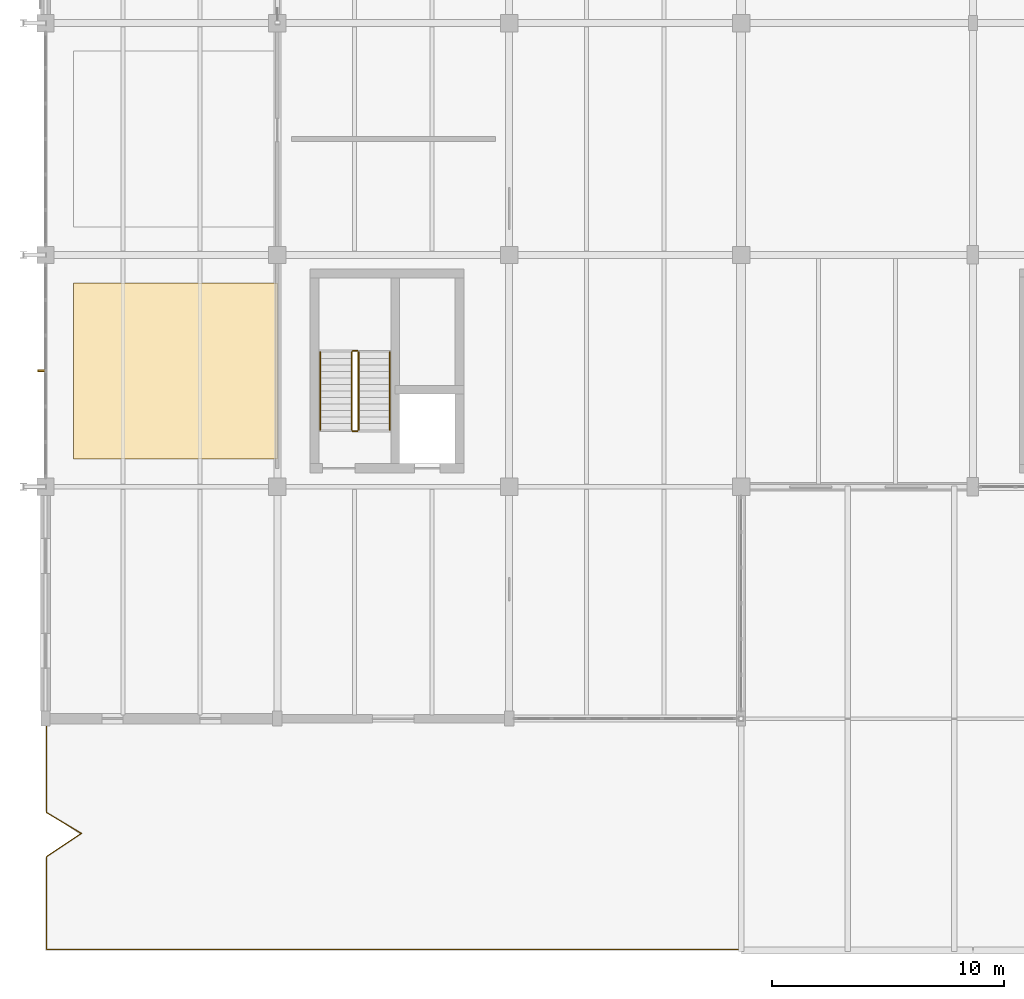
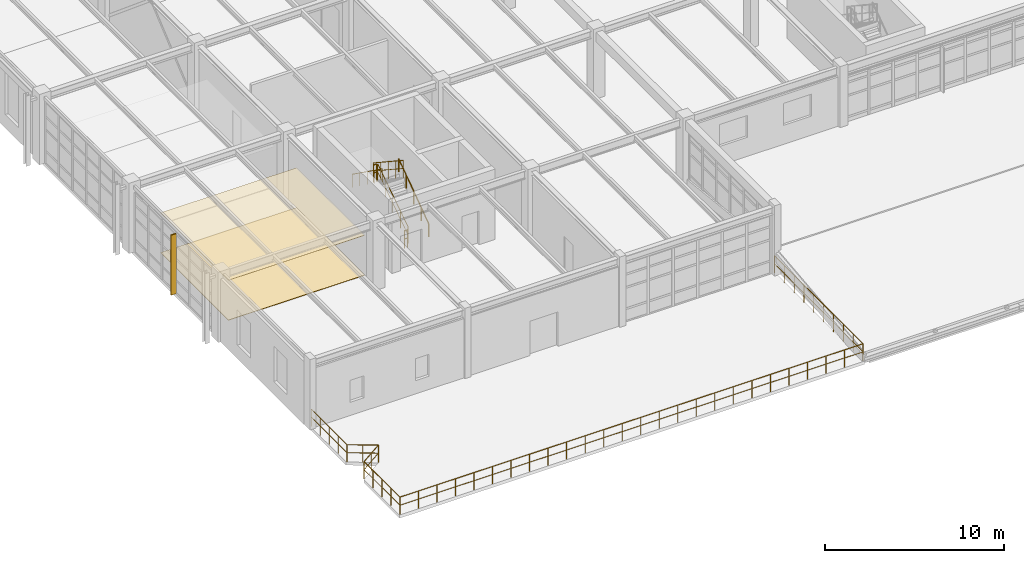
# One storey, part 125 of 139: 7 railings, 2 coverings, 1 shading device.
"""IFC4 building model written with IfcOpenShell, lengths in metres."""

from ifc_helpers import new_model, si_unit, direction, frame, origin, origin_2d, place, context, subcontext, project, spatial, polyline, rectangle, circle, outline, extrude, material, layer, layer_set, type_object, element, save


model = new_model("IFC4")

# Units and contexts
model_context = context("Model", 3, precision=1e-05, world=origin(), true_north=direction((0.0, 1.0)))
body_context = subcontext(model_context, "Body", "Model", "MODEL_VIEW")
ifc_project = project(units=[si_unit("LENGTHUNIT", "METRE"), si_unit("AREAUNIT", "SQUARE_METRE"), si_unit("VOLUMEUNIT", "CUBIC_METRE"), si_unit("PLANEANGLEUNIT", "RADIAN"), si_unit("MASSUNIT", "GRAM", prefix="KILO"), si_unit("THERMODYNAMICTEMPERATUREUNIT", "KELVIN"), si_unit("POWERUNIT", "WATT")], contexts=[model_context])

# Site, building, storey
site_placement = place(None, origin())
site = spatial("IfcSite", under=ifc_project, at=site_placement, CompositionType="ELEMENT")
building_placement = place(site_placement, origin())
building = spatial("IfcBuilding", under=site, at=building_placement, Name="Korenveer Ferry Terminal", CompositionType="ELEMENT")
storey_placement = place(building_placement, frame((0.0, 0.0, 5.39990234375)))
storey = spatial("IfcBuildingStorey", under=building, at=storey_placement, Name="L01", CompositionType="ELEMENT", Elevation=5.39990234375)

# Railing
ifc_material_1 = material(Name="Marine stainless and bronze balustrade", Category="aluminium")
railing_type_1 = type_object("IfcRailingType", Name="ENV-RL-BAL120", PredefinedType="BALUSTRADE", material=ifc_material_1)
railing_1_placement = place(storey_placement, frame((0.050048828125, 9.949951171875, 0.0)))
element("IfcRailing", 1, at=railing_1_placement, inside=storey, type_object=railing_type_1, Name="Outdoor terrace balustrade 1", PredefinedType="BALUSTRADE", context=body_context, shape_type="SweptSolid", body=[
    extrude(circle(Radius=0.02392578125, at=origin_2d()), frame((0.0, 0.0, 1.17578125), z_axis=(0.0, -1.0, 0.0), x_axis=(1.0, 0.0, 0.0)), (0.0, 0.0, 1.0), 4.0),
    extrude(circle(Radius=0.01806640625, at=origin_2d()), frame((0.0, 0.0, 0.6240234375), z_axis=(0.0, -1.0, 0.0), x_axis=(1.0, 0.0, 0.0)), (0.0, 0.0, 1.0), 4.0),
    extrude(circle(Radius=0.02392578125, at=origin_2d()), frame((0.0, -4.0, 1.17578125), z_axis=(0.857517554715, -0.514454704863, 0.0), x_axis=(0.514454704863, 0.857517554715, 0.0)), (0.0, 0.0, 1.0), 1.749267578125),
    extrude(circle(Radius=0.01806640625, at=origin_2d()), frame((0.0, -4.0, 0.6240234375), z_axis=(0.857517554715, -0.514454704863, 0.0), x_axis=(0.514454704863, 0.857517554715, 0.0)), (0.0, 0.0, 1.0), 1.749267578125),
    extrude(circle(Radius=0.02392578125, at=origin_2d()), frame((1.5, -4.89990234375, 1.17578125), z_axis=(-0.832050294338, -0.554700196225, 0.0), x_axis=(0.554700196225, -0.832050294338, 0.0)), (0.0, 0.0, 1.0), 1.802734375),
    extrude(circle(Radius=0.01806640625, at=origin_2d()), frame((1.5, -4.89990234375, 0.6240234375), z_axis=(-0.832050294338, -0.554700196225, 0.0), x_axis=(0.554700196225, -0.832050294338, 0.0)), (0.0, 0.0, 1.0), 1.802734375),
    extrude(circle(Radius=0.02392578125, at=origin_2d()), frame((0.0, -5.89990234375, 1.17578125), z_axis=(0.0, -1.0, 0.0), x_axis=(1.0, 0.0, 0.0)), (0.0, 0.0, 1.0), 4.0),
    extrude(circle(Radius=0.01806640625, at=origin_2d()), frame((0.0, -5.89990234375, 0.6240234375), z_axis=(0.0, -1.0, 0.0), x_axis=(1.0, 0.0, 0.0)), (0.0, 0.0, 1.0), 4.0),
    extrude(circle(Radius=0.02392578125, at=origin_2d()), frame((0.0, -9.89990234375, 1.17578125), z_axis=(1.0, 0.0, 0.0), x_axis=(0.0, 1.0, 0.0)), (0.0, 0.0, 1.0), 29.89990234375),
    extrude(circle(Radius=0.01806640625, at=origin_2d()), frame((0.0, -9.89990234375, 0.6240234375), z_axis=(1.0, 0.0, 0.0), x_axis=(0.0, 1.0, 0.0)), (0.0, 0.0, 1.0), 29.89990234375),
    extrude(circle(Radius=0.02392578125, at=origin_2d()), frame((29.89990234375, -9.89990234375, 1.17578125), z_axis=(0.0, 1.0, 0.0), x_axis=(-1.0, 0.0, 0.0)), (0.0, 0.0, 1.0), 9.89990234375),
    extrude(circle(Radius=0.01806640625, at=origin_2d()), frame((29.89990234375, -9.89990234375, 0.6240234375), z_axis=(0.0, 1.0, 0.0), x_axis=(-1.0, 0.0, 0.0)), (0.0, 0.0, 1.0), 9.89990234375),
    extrude(circle(Radius=0.02099609375, at=origin_2d()), origin(), (0.0, 0.0, 1.0), 1.15185546875),
    extrude(circle(Radius=0.02099609375, at=origin_2d()), frame((0.0, -1.0, 0.0)), (0.0, 0.0, 1.0), 1.15185546875),
    extrude(circle(Radius=0.02099609375, at=origin_2d()), frame((0.0, -2.0, 0.0)), (0.0, 0.0, 1.0), 1.15185546875),
    extrude(circle(Radius=0.02099609375, at=origin_2d()), frame((0.0, -3.0, 0.0)), (0.0, 0.0, 1.0), 1.15185546875),
    extrude(circle(Radius=0.02099609375, at=origin_2d()), frame((0.0, -4.0, 0.0)), (0.0, 0.0, 1.0), 1.15185546875),
    extrude(circle(Radius=0.02099609375, at=origin_2d()), frame((0.75, -4.449951171875, 0.0)), (0.0, 0.0, 1.0), 1.15185546875),
    extrude(circle(Radius=0.02099609375, at=origin_2d()), frame((1.5, -4.89990234375, 0.0)), (0.0, 0.0, 1.0), 1.15185546875),
    extrude(circle(Radius=0.02099609375, at=origin_2d()), frame((0.75, -5.39990234375, 0.0)), (0.0, 0.0, 1.0), 1.15185546875),
    extrude(circle(Radius=0.02099609375, at=origin_2d()), frame((0.0, -5.89990234375, 0.0)), (0.0, 0.0, 1.0), 1.15185546875),
    extrude(circle(Radius=0.02099609375, at=origin_2d()), frame((0.0, -6.89990234375, 0.0)), (0.0, 0.0, 1.0), 1.15185546875),
    extrude(circle(Radius=0.02099609375, at=origin_2d()), frame((0.0, -7.89990234375, 0.0)), (0.0, 0.0, 1.0), 1.15185546875),
    extrude(circle(Radius=0.02099609375, at=origin_2d()), frame((0.0, -8.89990234375, 0.0)), (0.0, 0.0, 1.0), 1.15185546875),
    extrude(circle(Radius=0.02099609375, at=origin_2d()), frame((0.0, -9.89990234375, 0.0)), (0.0, 0.0, 1.0), 1.15185546875),
    extrude(circle(Radius=0.02099609375, at=origin_2d()), frame((1.196044921875, -9.89990234375, 0.0)), (0.0, 0.0, 1.0), 1.15185546875),
    extrude(circle(Radius=0.02099609375, at=origin_2d()), frame((2.39208984375, -9.89990234375, 0.0)), (0.0, 0.0, 1.0), 1.15185546875),
    extrude(circle(Radius=0.02099609375, at=origin_2d()), frame((3.587890625, -9.89990234375, 0.0)), (0.0, 0.0, 1.0), 1.15185546875),
    extrude(circle(Radius=0.02099609375, at=origin_2d()), frame((4.783935546875, -9.89990234375, 0.0)), (0.0, 0.0, 1.0), 1.15185546875),
    extrude(circle(Radius=0.02099609375, at=origin_2d()), frame((5.97998046875, -9.89990234375, 0.0)), (0.0, 0.0, 1.0), 1.15185546875),
    extrude(circle(Radius=0.02099609375, at=origin_2d()), frame((7.176025390625, -9.89990234375, 0.0)), (0.0, 0.0, 1.0), 1.15185546875),
    extrude(circle(Radius=0.02099609375, at=origin_2d()), frame((8.3720703125, -9.89990234375, 0.0)), (0.0, 0.0, 1.0), 1.15185546875),
    extrude(circle(Radius=0.02099609375, at=origin_2d()), frame((9.56787109375, -9.89990234375, 0.0)), (0.0, 0.0, 1.0), 1.15185546875),
    extrude(circle(Radius=0.02099609375, at=origin_2d()), frame((10.763916015625, -9.89990234375, 0.0)), (0.0, 0.0, 1.0), 1.15185546875),
    extrude(circle(Radius=0.02099609375, at=origin_2d()), frame((11.9599609375, -9.89990234375, 0.0)), (0.0, 0.0, 1.0), 1.15185546875),
    extrude(circle(Radius=0.02099609375, at=origin_2d()), frame((13.156005859375, -9.89990234375, 0.0)), (0.0, 0.0, 1.0), 1.15185546875),
    extrude(circle(Radius=0.02099609375, at=origin_2d()), frame((14.35205078125, -9.89990234375, 0.0)), (0.0, 0.0, 1.0), 1.15185546875),
    extrude(circle(Radius=0.02099609375, at=origin_2d()), frame((15.5478515625, -9.89990234375, 0.0)), (0.0, 0.0, 1.0), 1.15185546875),
    extrude(circle(Radius=0.02099609375, at=origin_2d()), frame((16.743896484375, -9.89990234375, 0.0)), (0.0, 0.0, 1.0), 1.15185546875),
    extrude(circle(Radius=0.02099609375, at=origin_2d()), frame((17.93994140625, -9.89990234375, 0.0)), (0.0, 0.0, 1.0), 1.15185546875),
    extrude(circle(Radius=0.02099609375, at=origin_2d()), frame((19.135986328125, -9.89990234375, 0.0)), (0.0, 0.0, 1.0), 1.15185546875),
    extrude(circle(Radius=0.02099609375, at=origin_2d()), frame((20.33203125, -9.89990234375, 0.0)), (0.0, 0.0, 1.0), 1.15185546875),
    extrude(circle(Radius=0.02099609375, at=origin_2d()), frame((21.52783203125, -9.89990234375, 0.0)), (0.0, 0.0, 1.0), 1.15185546875),
    extrude(circle(Radius=0.02099609375, at=origin_2d()), frame((22.723876953125, -9.89990234375, 0.0)), (0.0, 0.0, 1.0), 1.15185546875),
    extrude(circle(Radius=0.02099609375, at=origin_2d()), frame((23.919921875, -9.89990234375, 0.0)), (0.0, 0.0, 1.0), 1.15185546875),
    extrude(circle(Radius=0.02099609375, at=origin_2d()), frame((25.115966796875, -9.89990234375, 0.0)), (0.0, 0.0, 1.0), 1.15185546875),
    extrude(circle(Radius=0.02099609375, at=origin_2d()), frame((26.31201171875, -9.89990234375, 0.0)), (0.0, 0.0, 1.0), 1.15185546875),
    extrude(circle(Radius=0.02099609375, at=origin_2d()), frame((27.5078125, -9.89990234375, 0.0)), (0.0, 0.0, 1.0), 1.15185546875),
    extrude(circle(Radius=0.02099609375, at=origin_2d()), frame((28.703857421875, -9.89990234375, 0.0)), (0.0, 0.0, 1.0), 1.15185546875),
    extrude(circle(Radius=0.02099609375, at=origin_2d()), frame((29.89990234375, -9.89990234375, 0.0)), (0.0, 0.0, 1.0), 1.15185546875),
    extrude(circle(Radius=0.02099609375, at=origin_2d()), frame((29.89990234375, -8.7998046875, 0.0)), (0.0, 0.0, 1.0), 1.15185546875),
    extrude(circle(Radius=0.02099609375, at=origin_2d()), frame((29.89990234375, -7.699951171875, 0.0)), (0.0, 0.0, 1.0), 1.15185546875),
    extrude(circle(Radius=0.02099609375, at=origin_2d()), frame((29.89990234375, -6.599853515625, 0.0)), (0.0, 0.0, 1.0), 1.15185546875),
    extrude(circle(Radius=0.02099609375, at=origin_2d()), frame((29.89990234375, -5.5, 0.0)), (0.0, 0.0, 1.0), 1.15185546875),
    extrude(circle(Radius=0.02099609375, at=origin_2d()), frame((29.89990234375, -4.39990234375, 0.0)), (0.0, 0.0, 1.0), 1.15185546875),
    extrude(circle(Radius=0.02099609375, at=origin_2d()), frame((29.89990234375, -3.300048828125, 0.0)), (0.0, 0.0, 1.0), 1.15185546875),
    extrude(circle(Radius=0.02099609375, at=origin_2d()), frame((29.89990234375, -2.199951171875, 0.0)), (0.0, 0.0, 1.0), 1.15185546875),
    extrude(circle(Radius=0.02099609375, at=origin_2d()), frame((29.89990234375, -1.10009765625, 0.0)), (0.0, 0.0, 1.0), 1.15185546875),
    extrude(circle(Radius=0.02099609375, at=origin_2d()), frame((29.89990234375, 0.0, 0.0)), (0.0, 0.0, 1.0), 1.15185546875),
])

# Shading device
ifc_material_2 = material(Name="Anodised bronze aluminium solar fin", Category="aluminium")
shading_device_type = type_object("IfcShadingDeviceType", Name="ENV-SHD-FIN", PredefinedType="JALOUSIE", material=ifc_material_2)
shading_device_placement = place(storey_placement, frame((-0.159912109375, 25.0, -0.02001953125), z_axis=(0.0, 0.0, 1.0), x_axis=(1.0, 0.0, 0.0)))
element("IfcShadingDevice", 2, at=shading_device_placement, inside=storey, type_object=shading_device_type, Name="Gothic solar fin 26", PredefinedType="JALOUSIE", context=body_context, shape_type="SweptSolid", body=[
    extrude(rectangle(XDim=0.360107421875, YDim=0.080078125, at=origin_2d()), origin(), (0.0, 0.0, 1.0), 4.090087890625),
])

# Coverings
ifc_material_3 = material(Name="Mineral acoustic ceiling board", Category="other")
ifc_layer_1 = layer(ifc_material_3, 0.02490234375)
ifc_layer_set_1 = layer_set([ifc_layer_1], Name="Mineral acoustic ceiling board")
covering_type_1 = type_object("IfcCoveringType", Name="INT-COV-CEIL", PredefinedType="CEILING", material=ifc_layer_set_1)
covering_1_placement = place(storey_placement, frame((0.0, 0.0, 2.72509765625)))
element("IfcCovering", 3, at=covering_1_placement, inside=storey, type_object=covering_type_1, Name="Acoustic room ceiling 5", PredefinedType="CEILING", context=body_context, shape_type="SweptSolid", body=[
    extrude(outline(polyline([(1.199951171875, 21.199951171875), (10.0, 21.199951171875), (10.0, 28.800048828125), (1.199951171875, 28.800048828125), (1.199951171875, 21.199951171875)])), origin(), (0.0, 0.0, 1.0), 0.02490234375),
])
ifc_material_4 = material(Name="Polished terrazzo tile finish", Category="masonry")
ifc_layer_2 = layer(ifc_material_4, 0.030029296875)
ifc_layer_set_2 = layer_set([ifc_layer_2], Name="Polished terrazzo tile finish")
covering_type_2 = type_object("IfcCoveringType", Name="INT-COV-FLR", PredefinedType="FLOORING", material=ifc_layer_set_2)
covering_2_placement = place(storey_placement, origin())
element("IfcCovering", 4, at=covering_2_placement, inside=storey, type_object=covering_type_2, Name="Terrazzo floor finish 5", PredefinedType="FLOORING", context=body_context, shape_type="SweptSolid", body=[
    extrude(outline(polyline([(1.199951171875, 21.199951171875), (10.0, 21.199951171875), (10.0, 28.800048828125), (1.199951171875, 28.800048828125), (1.199951171875, 21.199951171875)])), origin(), (0.0, 0.0, 1.0), 0.030029296875),
])

# Railings
ifc_material_5 = material(Name="Brushed stainless steel handrail", Category="steel")
railing_type_2 = type_object("IfcRailingType", Name="INT-RL-HND90", PredefinedType="HANDRAIL", material=ifc_material_5)
railing_2_placement = place(storey_placement, frame((14.85009765625, 22.449951171875, 0.184814453125)))
element("IfcRailing", 5, at=railing_2_placement, inside=storey, type_object=railing_type_2, Name="L01 ST01 stair handrail 1", PredefinedType="HANDRAIL", context=body_context, shape_type="SweptSolid", body=[
    extrude(circle(Radius=0.02392578125, at=origin_2d()), frame((0.0, 0.0, 0.8759765625), z_axis=(0.0, 0.813753445783, 0.581210228297), x_axis=(-1.0, 0.0, 0.0)), (0.0, 0.0, 1.0), 4.129150390625),
    extrude(circle(Radius=0.02099609375, at=origin_2d()), origin(), (0.0, 0.0, 1.0), 0.851806640625),
    extrude(circle(Radius=0.02099609375, at=origin_2d()), frame((0.0, 0.840087890625, 0.60009765625)), (0.0, 0.0, 1.0), 0.851806640625),
    extrude(circle(Radius=0.02099609375, at=origin_2d()), frame((0.0, 1.68017578125, 1.199951171875)), (0.0, 0.0, 1.0), 0.851806640625),
    extrude(circle(Radius=0.02099609375, at=origin_2d()), frame((0.0, 2.52001953125, 1.7998046875)), (0.0, 0.0, 1.0), 0.851806640625),
    extrude(circle(Radius=0.02099609375, at=origin_2d()), frame((0.0, 3.360107421875, 2.39990234375)), (0.0, 0.0, 1.0), 0.851806640625),
])
railing_3_placement = place(storey_placement, frame((11.85009765625, 25.81005859375, 2.584716796875)))
element("IfcRailing", 6, at=railing_3_placement, inside=storey, type_object=railing_type_2, Name="L01 ST01 stair handrail 2", PredefinedType="HANDRAIL", context=body_context, shape_type="SweptSolid", body=[
    extrude(circle(Radius=0.02392578125, at=origin_2d()), frame((0.0, 0.0, 0.8759765625), z_axis=(0.0, -0.813753445783, 0.581210228297), x_axis=(1.0, 0.0, 0.0)), (0.0, 0.0, 1.0), 4.129150390625),
    extrude(circle(Radius=0.02099609375, at=origin_2d()), origin(), (0.0, 0.0, 1.0), 0.851806640625),
    extrude(circle(Radius=0.02099609375, at=origin_2d()), frame((0.0, -0.840087890625, 0.60009765625)), (0.0, 0.0, 1.0), 0.851806640625),
    extrude(circle(Radius=0.02099609375, at=origin_2d()), frame((0.0, -1.68017578125, 1.199951171875)), (0.0, 0.0, 1.0), 0.851806640625),
    extrude(circle(Radius=0.02099609375, at=origin_2d()), frame((0.0, -2.52001953125, 1.7998046875)), (0.0, 0.0, 1.0), 0.851806640625),
    extrude(circle(Radius=0.02099609375, at=origin_2d()), frame((0.0, -3.360107421875, 2.39990234375)), (0.0, 0.0, 1.0), 0.851806640625),
])
ifc_material_6 = material(Name="Painted steel stair guard", Category="steel")
railing_type_3 = type_object("IfcRailingType", Name="INT-RL-STGRD", PredefinedType="GUARDRAIL", material=ifc_material_6)
railing_4_placement = place(storey_placement, frame((13.5, 22.449951171875, 0.184814453125)))
element("IfcRailing", 7, at=railing_4_placement, inside=storey, type_object=railing_type_3, Name="L01 ST01 stair guard 1", PredefinedType="GUARDRAIL", context=body_context, shape_type="SweptSolid", body=[
    extrude(circle(Radius=0.02392578125, at=origin_2d()), frame((0.0, 0.0, 1.17578125), z_axis=(0.0, 0.834876476806, 0.550437342915), x_axis=(-1.0, 0.0, 0.0)), (0.0, 0.0, 1.0), 4.024658203125),
    extrude(circle(Radius=0.01806640625, at=origin_2d()), frame((0.0, 0.0, 0.6240234375), z_axis=(0.0, 0.834876476806, 0.550437342915), x_axis=(-1.0, 0.0, 0.0)), (0.0, 0.0, 1.0), 4.024658203125),
    extrude(circle(Radius=0.02099609375, at=origin_2d()), origin(), (0.0, 0.0, 1.0), 1.15185546875),
    extrude(circle(Radius=0.02099609375, at=origin_2d()), frame((0.0, 0.840087890625, 0.5537109375)), (0.0, 0.0, 1.0), 1.15185546875),
    extrude(circle(Radius=0.02099609375, at=origin_2d()), frame((0.0, 1.68017578125, 1.107666015625)), (0.0, 0.0, 1.0), 1.15185546875),
    extrude(circle(Radius=0.02099609375, at=origin_2d()), frame((0.0, 2.52001953125, 1.66162109375)), (0.0, 0.0, 1.0), 1.15185546875),
    extrude(circle(Radius=0.02099609375, at=origin_2d()), frame((0.0, 3.360107421875, 2.21533203125)), (0.0, 0.0, 1.0), 1.15185546875),
])
railing_5_placement = place(storey_placement, frame((13.449951171875, 25.860107421875, 2.400146484375)))
element("IfcRailing", 8, at=railing_5_placement, inside=storey, type_object=railing_type_3, Name="L01 ST01 stair guard 2", PredefinedType="GUARDRAIL", context=body_context, shape_type="SweptSolid", body=[
    extrude(circle(Radius=0.02392578125, at=origin_2d()), frame((0.0, 0.0, 1.17578125), z_axis=(-1.0, 0.0, 0.0), x_axis=(0.0, -1.0, 0.0)), (0.0, 0.0, 1.0), 0.199951171875),
    extrude(circle(Radius=0.01806640625, at=origin_2d()), frame((0.0, 0.0, 0.6240234375), z_axis=(-1.0, 0.0, 0.0), x_axis=(0.0, -1.0, 0.0)), (0.0, 0.0, 1.0), 0.199951171875),
    extrude(circle(Radius=0.02099609375, at=origin_2d()), origin(), (0.0, 0.0, 1.0), 1.15185546875),
    extrude(circle(Radius=0.02099609375, at=origin_2d()), frame((-0.199951171875, 0.0, 0.0)), (0.0, 0.0, 1.0), 1.15185546875),
])
railing_6_placement = place(storey_placement, frame((13.199951171875, 25.81005859375, 2.584716796875)))
element("IfcRailing", 9, at=railing_6_placement, inside=storey, type_object=railing_type_3, Name="L01 ST01 stair guard 3", PredefinedType="GUARDRAIL", context=body_context, shape_type="SweptSolid", body=[
    extrude(circle(Radius=0.02392578125, at=origin_2d()), frame((0.0, 0.0, 1.17578125), z_axis=(0.0, -0.834876476806, 0.550437342915), x_axis=(1.0, 0.0, 0.0)), (0.0, 0.0, 1.0), 4.024658203125),
    extrude(circle(Radius=0.01806640625, at=origin_2d()), frame((0.0, 0.0, 0.6240234375), z_axis=(0.0, -0.834876476806, 0.550437342915), x_axis=(1.0, 0.0, 0.0)), (0.0, 0.0, 1.0), 4.024658203125),
    extrude(circle(Radius=0.02099609375, at=origin_2d()), origin(), (0.0, 0.0, 1.0), 1.15185546875),
    extrude(circle(Radius=0.02099609375, at=origin_2d()), frame((0.0, -0.840087890625, 0.5537109375)), (0.0, 0.0, 1.0), 1.15185546875),
    extrude(circle(Radius=0.02099609375, at=origin_2d()), frame((0.0, -1.68017578125, 1.107666015625)), (0.0, 0.0, 1.0), 1.15185546875),
    extrude(circle(Radius=0.02099609375, at=origin_2d()), frame((0.0, -2.52001953125, 1.66162109375)), (0.0, 0.0, 1.0), 1.15185546875),
    extrude(circle(Radius=0.02099609375, at=origin_2d()), frame((0.0, -3.360107421875, 2.21533203125)), (0.0, 0.0, 1.0), 1.15185546875),
])
railing_7_placement = place(storey_placement, frame((13.449951171875, 22.39990234375, 0.0)))
element("IfcRailing", 10, at=railing_7_placement, inside=storey, type_object=railing_type_3, Name="L01 ST01 stair guard 4", PredefinedType="GUARDRAIL", context=body_context, shape_type="SweptSolid", body=[
    extrude(circle(Radius=0.02392578125, at=origin_2d()), frame((0.0, 0.0, 1.17578125), z_axis=(-1.0, 0.0, 0.0), x_axis=(0.0, -1.0, 0.0)), (0.0, 0.0, 1.0), 0.199951171875),
    extrude(circle(Radius=0.01806640625, at=origin_2d()), frame((0.0, 0.0, 0.6240234375), z_axis=(-1.0, 0.0, 0.0), x_axis=(0.0, -1.0, 0.0)), (0.0, 0.0, 1.0), 0.199951171875),
    extrude(circle(Radius=0.02099609375, at=origin_2d()), origin(), (0.0, 0.0, 1.0), 1.15185546875),
    extrude(circle(Radius=0.02099609375, at=origin_2d()), frame((-0.199951171875, 0.0, 0.0)), (0.0, 0.0, 1.0), 1.15185546875),
])

save(model, "model.ifc")
